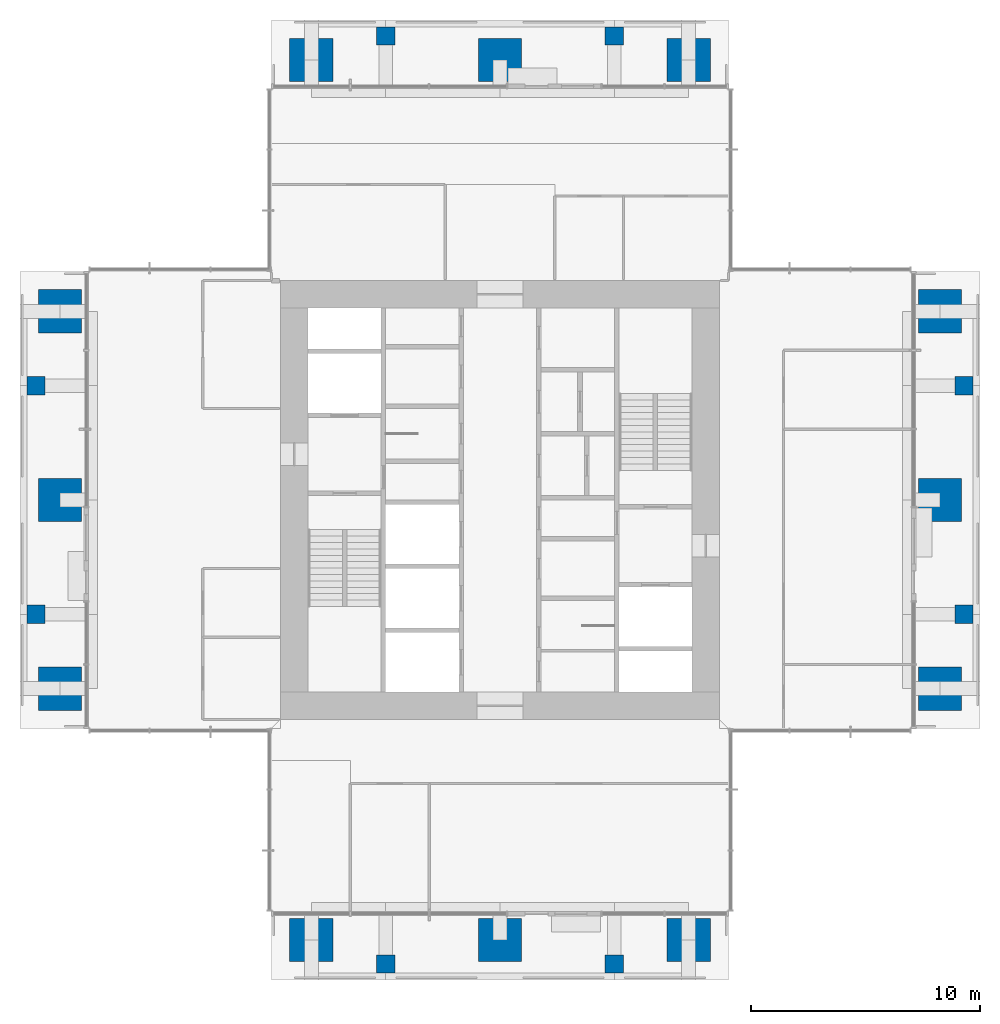
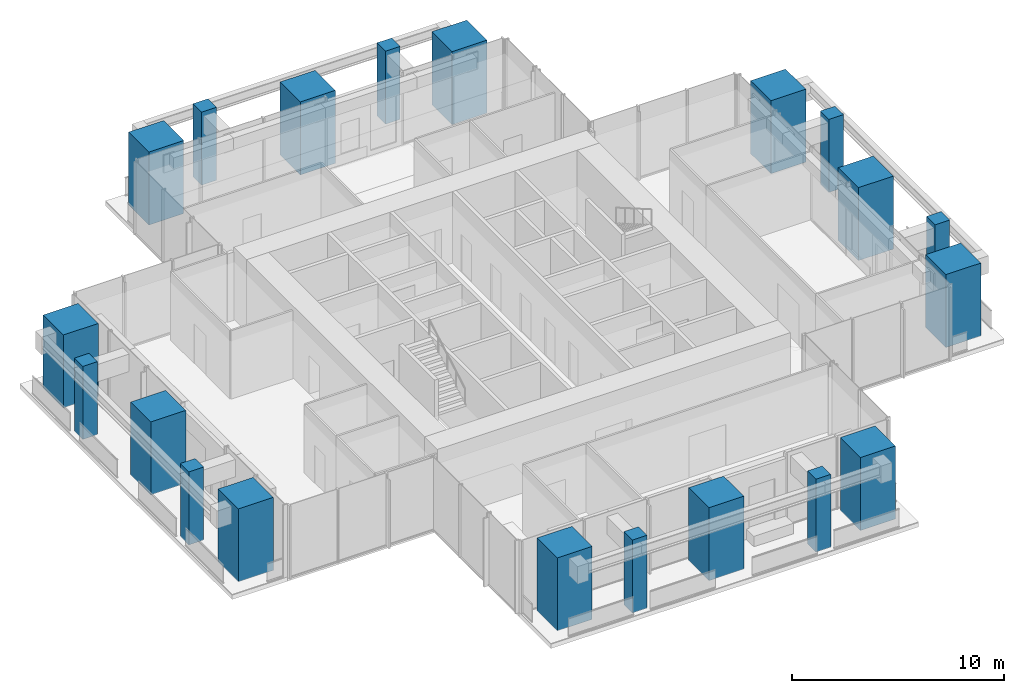
# One storey, part 1 of 12: 20 columns.
"""IFC4 building model written with IfcOpenShell, lengths in metres."""

from ifc_helpers import new_model, si_unit, direction, frame, origin, origin_2d, place, context, subcontext, project, spatial, rectangle, extrude, material, material_profile, profile_set, type_object, element, save


model = new_model("IFC4")

# Units and contexts
model_context = context("Model", 3, precision=1e-05, world=origin(), true_north=direction((0.0, 1.0)))
body_context = subcontext(model_context, "Body", "Model", "MODEL_VIEW")
ifc_project = project(units=[si_unit("LENGTHUNIT", "METRE"), si_unit("AREAUNIT", "SQUARE_METRE"), si_unit("VOLUMEUNIT", "CUBIC_METRE"), si_unit("PLANEANGLEUNIT", "RADIAN"), si_unit("MASSUNIT", "GRAM", prefix="KILO")], contexts=[model_context])

# Site, building, storey
site_placement = place(None, origin())
site = spatial("IfcSite", under=ifc_project, at=site_placement, CompositionType="ELEMENT")
building_placement = place(site_placement, origin())
building = spatial("IfcBuilding", under=site, at=building_placement, Name="Svetlomir Tower", CompositionType="ELEMENT")
storey_placement = place(building_placement, frame((0.0, 0.0, 260.800048828125)))
storey = spatial("IfcBuildingStorey", under=building, at=storey_placement, Name="L62", CompositionType="ELEMENT", Elevation=260.800048828125)

# Columns
ifc_material_1 = material(Name="Concrete C60/75", Category="concrete")
ifc_material_profile_1 = material_profile(ifc_material_1, rectangle(XDim=1.89990234375, YDim=1.89990234375, at=origin_2d()), Name="RC 1900x1900")
ifc_profile_set_1 = profile_set([ifc_material_profile_1], Name="Concrete C60/75")
column_type_1 = type_object("IfcColumnType", Name="COLUMN RC 1900x1900", PredefinedType="COLUMN", material=ifc_profile_set_1)
for number, where, z_axis, x_axis, name in (
    (1, (12.75, 1.75, 0.0), (0.0, 0.0, 1.0), (1.0, 0.0, 0.0), "Column 11/0 L62"),
    (2, (21.0, 1.75, 0.0), (0.0, 0.0, 1.0), (1.0, 0.0, 0.0), "Column 21/0 L62"),
    (3, (29.25, 1.75, 0.0), (0.0, 0.0, 1.0), (1.0, 0.0, 0.0), "Column 31/0 L62"),
    (4, (1.75, 12.75, 0.0), (0.0, 0.0, 1.0), (1.0, 0.0, 0.0), "Column 0/11 L62"),
    (5, (40.25, 12.75, 0.0), (0.0, 0.0, 1.0), (1.0, 0.0, 0.0), "Column 42/11 L62"),
    (6, (1.75, 21.0, 0.0), (0.0, 0.0, 1.0), (1.0, 0.0, 0.0), "Column 0/21 L62"),
    (7, (40.25, 21.0, 0.0), (0.0, 0.0, 1.0), (1.0, 0.0, 0.0), "Column 42/21 L62"),
    (8, (1.75, 29.25, 0.0), (0.0, 0.0, 1.0), (1.0, 0.0, 0.0), "Column 0/31 L62"),
    (9, (40.25, 29.25, 0.0), (0.0, 0.0, 1.0), (1.0, 0.0, 0.0), "Column 42/31 L62"),
    (10, (12.75, 40.25, 0.0), (0.0, 0.0, 1.0), (1.0, 0.0, 0.0), "Column 11/42 L62"),
    (11, (21.0, 40.25, 0.0), (0.0, 0.0, 1.0), (1.0, 0.0, 0.0), "Column 21/42 L62"),
    (12, (29.25, 40.25, 0.0), (0.0, 0.0, 1.0), (1.0, 0.0, 0.0), "Column 31/42 L62"),
):
    element("IfcColumn", number, at=place(storey_placement, frame(where, z_axis=z_axis, x_axis=x_axis)), inside=storey, type_object=column_type_1, Name=name, PredefinedType="COLUMN", context=body_context, shape_type="SweptSolid", body=[
        extrude(rectangle(XDim=1.89990234375, YDim=1.89990234375, at=origin_2d()), origin(), (0.0, 0.0, 1.0), 4.199951171875),
    ])
ifc_material_2 = material(Name="Concrete C60/75", Category="concrete")
ifc_material_profile_2 = material_profile(ifc_material_2, rectangle(XDim=0.800048828125, YDim=0.800048828125, at=origin_2d()), Name="RC 800x800")
ifc_profile_set_2 = profile_set([ifc_material_profile_2], Name="Concrete C60/75")
column_type_2 = type_object("IfcColumnType", Name="COLUMN RC 800x800", PredefinedType="COLUMN", material=ifc_profile_set_2)
for number, where, z_axis, x_axis, name in (
    (13, (16.0, 0.699951171875, 0.0), (0.0, 0.0, 1.0), (1.0, 0.0, 0.0), "Column 16/0 L62"),
    (14, (26.0, 0.699951171875, 0.0), (0.0, 0.0, 1.0), (1.0, 0.0, 0.0), "Column 26/0 L62"),
    (15, (0.699951171875, 16.0, 0.0), (0.0, 0.0, 1.0), (1.0, 0.0, 0.0), "Column 0/16 L62"),
    (16, (41.300048828125, 16.0, 0.0), (0.0, 0.0, 1.0), (1.0, 0.0, 0.0), "Column 42/16 L62"),
    (17, (0.699951171875, 26.0, 0.0), (0.0, 0.0, 1.0), (1.0, 0.0, 0.0), "Column 0/26 L62"),
    (18, (41.300048828125, 26.0, 0.0), (0.0, 0.0, 1.0), (1.0, 0.0, 0.0), "Column 42/26 L62"),
    (19, (16.0, 41.300048828125, 0.0), (0.0, 0.0, 1.0), (1.0, 0.0, 0.0), "Column 16/42 L62"),
    (20, (26.0, 41.300048828125, 0.0), (0.0, 0.0, 1.0), (1.0, 0.0, 0.0), "Column 26/42 L62"),
):
    element("IfcColumn", number, at=place(storey_placement, frame(where, z_axis=z_axis, x_axis=x_axis)), inside=storey, type_object=column_type_2, Name=name, PredefinedType="COLUMN", context=body_context, shape_type="SweptSolid", body=[
        extrude(rectangle(XDim=0.800048828125, YDim=0.800048828125, at=origin_2d()), origin(), (0.0, 0.0, 1.0), 4.199951171875),
    ])

save(model, "model.ifc")
